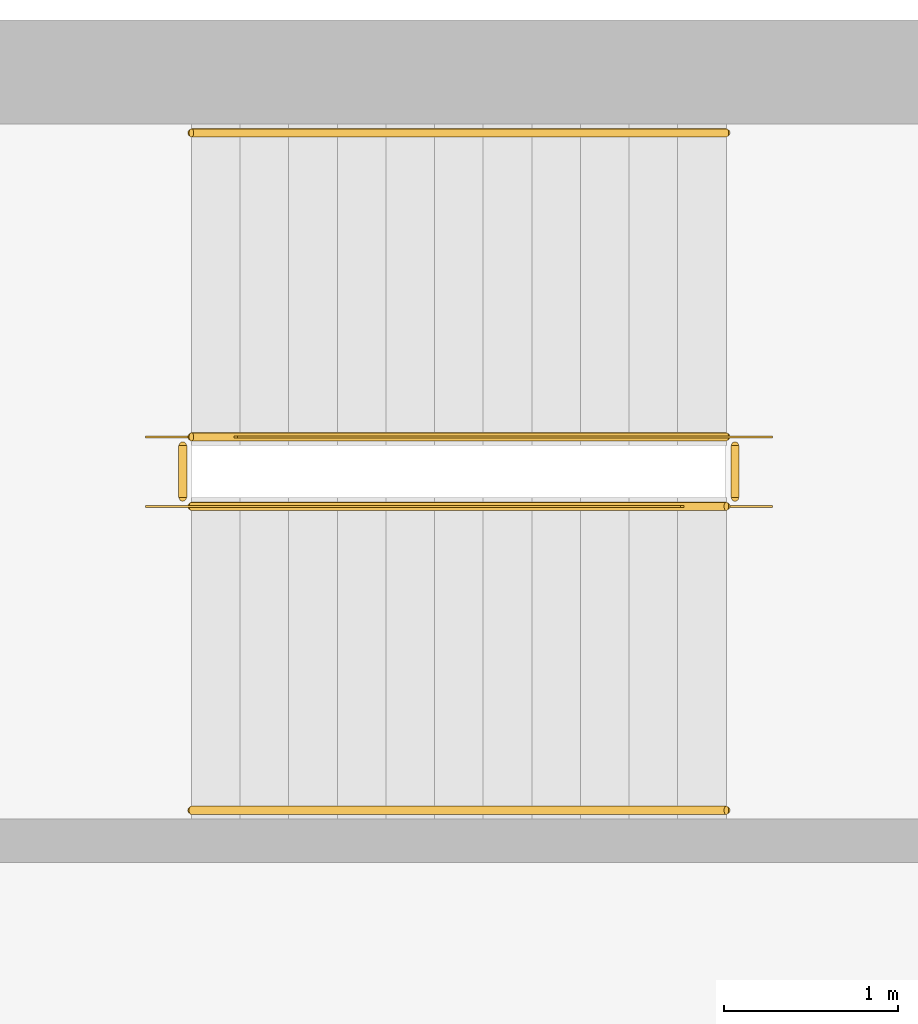
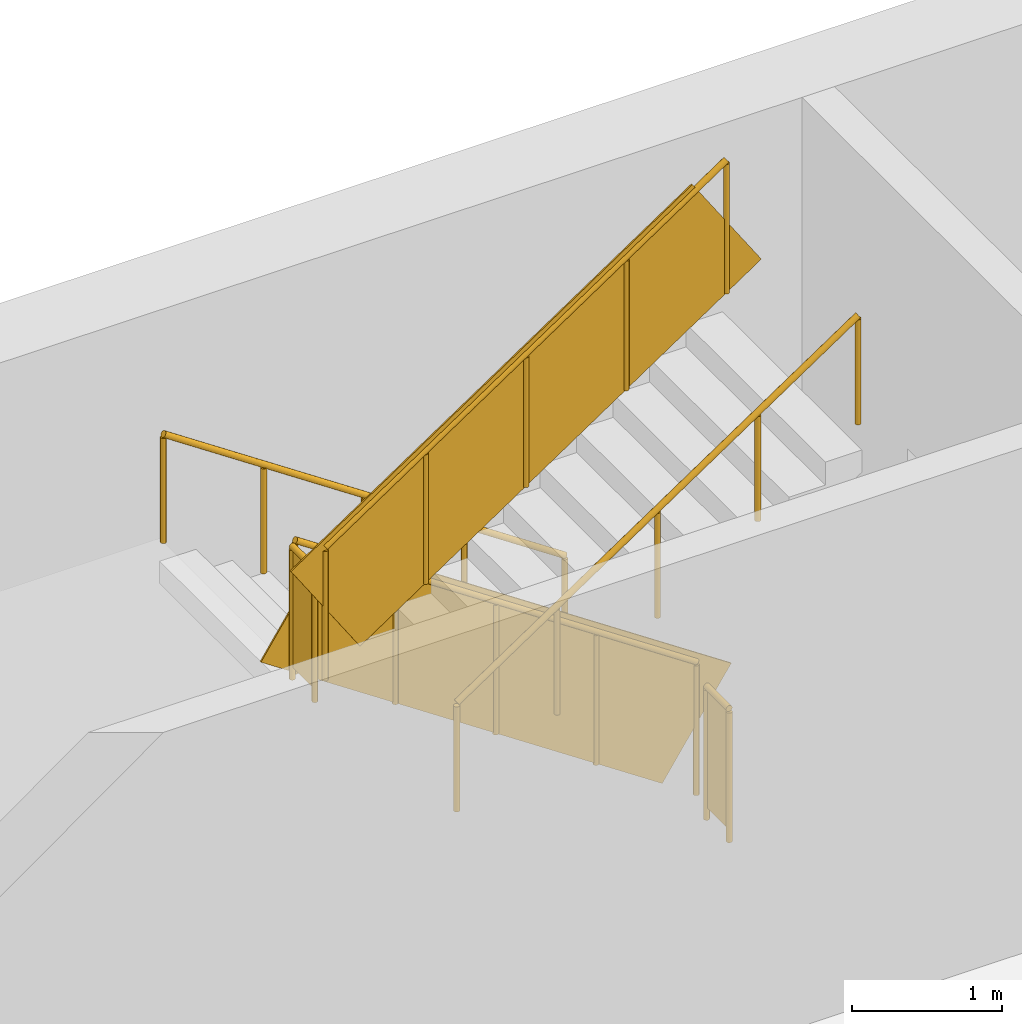
# One storey, part 24 of 27: 6 railings.
"""IFC4 building model written with IfcOpenShell, lengths in metres."""

from ifc_helpers import new_model, si_unit, direction, frame, origin, origin_2d, place, context, subcontext, project, spatial, rectangle, circle, extrude, material, type_object, element, save


model = new_model("IFC4")

# Units and contexts
model_context = context("Model", 3, precision=1e-05, world=origin(), true_north=direction((0.0, 1.0)))
body_context = subcontext(model_context, "Body", "Model", "MODEL_VIEW")
ifc_project = project(units=[si_unit("LENGTHUNIT", "METRE"), si_unit("AREAUNIT", "SQUARE_METRE"), si_unit("VOLUMEUNIT", "CUBIC_METRE"), si_unit("PLANEANGLEUNIT", "RADIAN"), si_unit("MASSUNIT", "GRAM", prefix="KILO")], contexts=[model_context])

# Site, building, storey
site_placement = place(None, origin())
site = spatial("IfcSite", under=ifc_project, at=site_placement, CompositionType="ELEMENT")
building_placement = place(site_placement, origin())
building = spatial("IfcBuilding", under=site, at=building_placement, Name="Dilmun Exchange Tower", CompositionType="ELEMENT")
storey_placement = place(building_placement, frame((0.0, 0.0, 4.5)))
storey = spatial("IfcBuildingStorey", under=building, at=storey_placement, Name="L01", CompositionType="ELEMENT", Elevation=4.5)

# Railings
ifc_material = material(Name="Steel S355", Category="steel")
railing_type_1 = type_object("IfcRailingType", Name="School stair guard 1100", PredefinedType="GUARDRAIL", material=ifc_material)
railing_1_placement = place(storey_placement, frame((-52.25, 33.60009765625, 0.1875)))
element("IfcRailing", 1, at=railing_1_placement, inside=storey, type_object=railing_type_1, Name="L01 SCH-S1 stair guard 1", PredefinedType="GUARDRAIL", context=body_context, shape_type="SweptSolid", body=[
    extrude(circle(Radius=0.02392578125, at=origin_2d()), frame((0.0, 0.0, 1.076171875), z_axis=(-0.830913701846, 0.0, 0.55640131208), x_axis=(0.0, -1.0, 0.0)), (0.0, 0.0, 1.0), 3.706787109375),
    extrude(rectangle(XDim=0.011962890625, YDim=0.951904296875, at=origin_2d()), frame((0.0, 0.0, 0.576171875), z_axis=(-0.830913701846, 0.0, 0.55640131208), x_axis=(0.0, -1.0, 0.0)), (0.0, 0.0, 1.0), 3.706787109375),
    extrude(circle(Radius=0.02099609375, at=origin_2d()), origin(), (0.0, 0.0, 1.0), 1.052001953125),
    extrude(circle(Radius=0.02099609375, at=origin_2d()), frame((-0.77001953125, 0.0, 0.515625)), (0.0, 0.0, 1.0), 1.052001953125),
    extrude(circle(Radius=0.02099609375, at=origin_2d()), frame((-1.5400390625, 0.0, 1.03125)), (0.0, 0.0, 1.0), 1.052001953125),
    extrude(circle(Radius=0.02099609375, at=origin_2d()), frame((-2.31005859375, 0.0, 1.546875)), (0.0, 0.0, 1.0), 1.052001953125),
    extrude(circle(Radius=0.02099609375, at=origin_2d()), frame((-3.080078125, 0.0, 2.0625)), (0.0, 0.0, 1.0), 1.052001953125),
])
railing_2_placement = place(storey_placement, frame((-55.3798828125, 33.550048828125, 2.25)))
element("IfcRailing", 2, at=railing_2_placement, inside=storey, type_object=railing_type_1, Name="L01 SCH-S1 stair guard 2", PredefinedType="GUARDRAIL", context=body_context, shape_type="SweptSolid", body=[
    extrude(circle(Radius=0.02392578125, at=origin_2d()), frame((0.0, 0.0, 1.076171875), z_axis=(0.0, -1.0, 0.0), x_axis=(1.0, 0.0, 0.0)), (0.0, 0.0, 1.0), 0.300048828125),
    extrude(rectangle(XDim=0.011962890625, YDim=0.951904296875, at=origin_2d()), frame((0.0, 0.0, 0.576171875), z_axis=(0.0, -1.0, 0.0), x_axis=(1.0, 0.0, 0.0)), (0.0, 0.0, 1.0), 0.300048828125),
    extrude(circle(Radius=0.02099609375, at=origin_2d()), origin(), (0.0, 0.0, 1.0), 1.052001953125),
    extrude(circle(Radius=0.02099609375, at=origin_2d()), frame((0.0, -0.300048828125, 0.0)), (0.0, 0.0, 1.0), 1.052001953125),
])
railing_3_placement = place(storey_placement, frame((-55.330078125, 33.199951171875, 2.4375)))
element("IfcRailing", 3, at=railing_3_placement, inside=storey, type_object=railing_type_1, Name="L01 SCH-S1 stair guard 3", PredefinedType="GUARDRAIL", context=body_context, shape_type="SweptSolid", body=[
    extrude(circle(Radius=0.02392578125, at=origin_2d()), frame((0.0, 0.0, 1.076171875), z_axis=(0.830913701846, 0.0, 0.55640131208), x_axis=(0.0, 1.0, 0.0)), (0.0, 0.0, 1.0), 3.706787109375),
    extrude(rectangle(XDim=0.011962890625, YDim=0.951904296875, at=origin_2d()), frame((0.0, 0.0, 0.576171875), z_axis=(0.830913701846, 0.0, 0.55640131208), x_axis=(0.0, 1.0, 0.0)), (0.0, 0.0, 1.0), 3.706787109375),
    extrude(circle(Radius=0.02099609375, at=origin_2d()), origin(), (0.0, 0.0, 1.0), 1.052001953125),
    extrude(circle(Radius=0.02099609375, at=origin_2d()), frame((0.77001953125, 0.0, 0.515625)), (0.0, 0.0, 1.0), 1.052001953125),
    extrude(circle(Radius=0.02099609375, at=origin_2d()), frame((1.5400390625, 0.0, 1.03125)), (0.0, 0.0, 1.0), 1.052001953125),
    extrude(circle(Radius=0.02099609375, at=origin_2d()), frame((2.31005859375, 0.0, 1.546875)), (0.0, 0.0, 1.0), 1.052001953125),
    extrude(circle(Radius=0.02099609375, at=origin_2d()), frame((3.080078125, 0.0, 2.0625)), (0.0, 0.0, 1.0), 1.052001953125),
])
railing_4_placement = place(storey_placement, frame((-52.199951171875, 33.550048828125, 0.0)))
element("IfcRailing", 4, at=railing_4_placement, inside=storey, type_object=railing_type_1, Name="L01 SCH-S1 stair guard 4", PredefinedType="GUARDRAIL", context=body_context, shape_type="SweptSolid", body=[
    extrude(circle(Radius=0.02392578125, at=origin_2d()), frame((0.0, 0.0, 1.076171875), z_axis=(0.0, -1.0, 0.0), x_axis=(1.0, 0.0, 0.0)), (0.0, 0.0, 1.0), 0.300048828125),
    extrude(rectangle(XDim=0.011962890625, YDim=0.951904296875, at=origin_2d()), frame((0.0, 0.0, 0.576171875), z_axis=(0.0, -1.0, 0.0), x_axis=(1.0, 0.0, 0.0)), (0.0, 0.0, 1.0), 0.300048828125),
    extrude(circle(Radius=0.02099609375, at=origin_2d()), origin(), (0.0, 0.0, 1.0), 1.052001953125),
    extrude(circle(Radius=0.02099609375, at=origin_2d()), frame((0.0, -0.300048828125, 0.0)), (0.0, 0.0, 1.0), 1.052001953125),
])
railing_type_2 = type_object("IfcRailingType", Name="School stair handrail 900", PredefinedType="HANDRAIL", material=ifc_material)
railing_5_placement = place(storey_placement, frame((-52.25, 35.35009765625, 0.1875)))
element("IfcRailing", 5, at=railing_5_placement, inside=storey, type_object=railing_type_2, Name="L01 SCH-S1 stair handrail 1", PredefinedType="HANDRAIL", context=body_context, shape_type="SweptSolid", body=[
    extrude(circle(Radius=0.02392578125, at=origin_2d()), frame((0.0, 0.0, 0.8759765625), z_axis=(-0.830913701846, 0.0, 0.55640131208), x_axis=(0.0, -1.0, 0.0)), (0.0, 0.0, 1.0), 3.706787109375),
    extrude(circle(Radius=0.02099609375, at=origin_2d()), origin(), (0.0, 0.0, 1.0), 0.851806640625),
    extrude(circle(Radius=0.02099609375, at=origin_2d()), frame((-0.77001953125, 0.0, 0.515625)), (0.0, 0.0, 1.0), 0.851806640625),
    extrude(circle(Radius=0.02099609375, at=origin_2d()), frame((-1.5400390625, 0.0, 1.03125)), (0.0, 0.0, 1.0), 0.851806640625),
    extrude(circle(Radius=0.02099609375, at=origin_2d()), frame((-2.31005859375, 0.0, 1.546875)), (0.0, 0.0, 1.0), 0.851806640625),
    extrude(circle(Radius=0.02099609375, at=origin_2d()), frame((-3.080078125, 0.0, 2.0625)), (0.0, 0.0, 1.0), 0.851806640625),
])
railing_6_placement = place(storey_placement, frame((-55.330078125, 31.449951171875, 2.4375)))
element("IfcRailing", 6, at=railing_6_placement, inside=storey, type_object=railing_type_2, Name="L01 SCH-S1 stair handrail 2", PredefinedType="HANDRAIL", context=body_context, shape_type="SweptSolid", body=[
    extrude(circle(Radius=0.02392578125, at=origin_2d()), frame((0.0, 0.0, 0.8759765625), z_axis=(0.830913701846, 0.0, 0.55640131208), x_axis=(0.0, 1.0, 0.0)), (0.0, 0.0, 1.0), 3.706787109375),
    extrude(circle(Radius=0.02099609375, at=origin_2d()), origin(), (0.0, 0.0, 1.0), 0.851806640625),
    extrude(circle(Radius=0.02099609375, at=origin_2d()), frame((0.77001953125, 0.0, 0.515625)), (0.0, 0.0, 1.0), 0.851806640625),
    extrude(circle(Radius=0.02099609375, at=origin_2d()), frame((1.5400390625, 0.0, 1.03125)), (0.0, 0.0, 1.0), 0.851806640625),
    extrude(circle(Radius=0.02099609375, at=origin_2d()), frame((2.31005859375, 0.0, 1.546875)), (0.0, 0.0, 1.0), 0.851806640625),
    extrude(circle(Radius=0.02099609375, at=origin_2d()), frame((3.080078125, 0.0, 2.0625)), (0.0, 0.0, 1.0), 0.851806640625),
])

save(model, "model.ifc")
